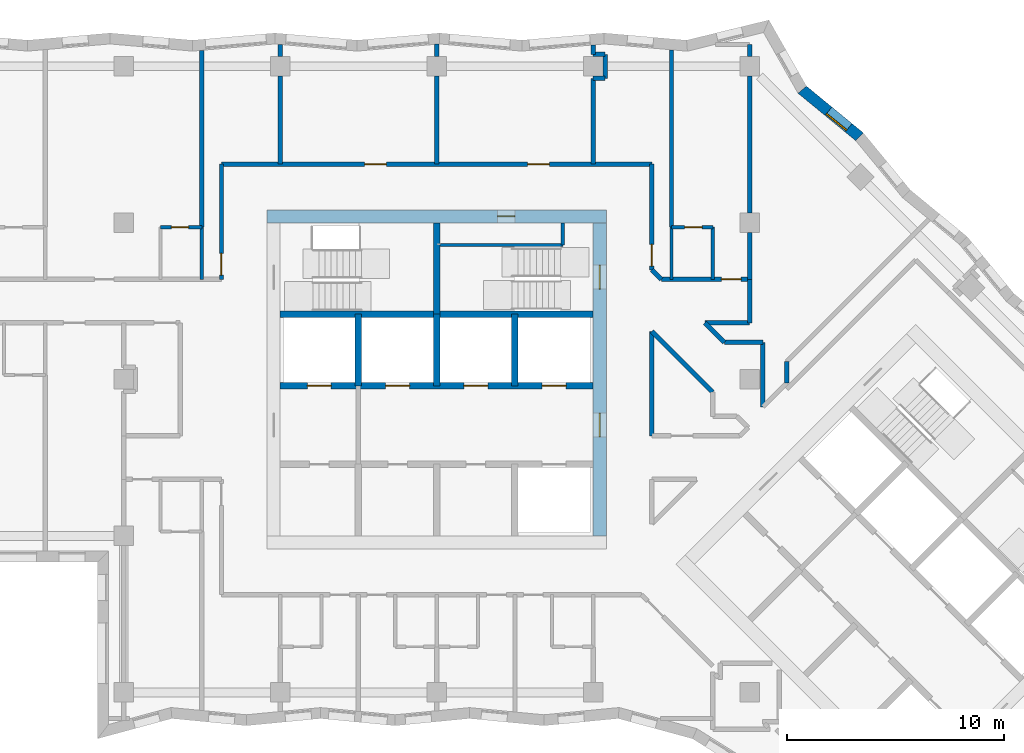
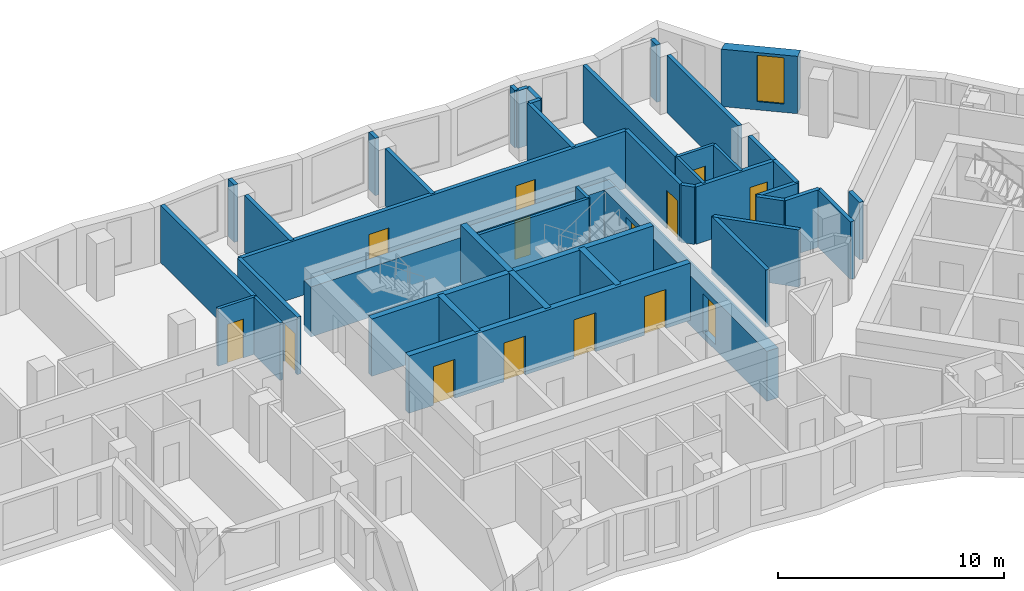
# One storey, part 6 of 12: 44 walls, 14 doors, 1 window, 15 openings.
"""IFC4 building model written with IfcOpenShell, lengths in metres."""

from ifc_helpers import new_model, si_unit, direction, frame, frame_2d, origin, place, context, subcontext, project, spatial, polyline, rectangle, outline, extrude, material, layer, layer_set, type_object, element, fill, save


model = new_model("IFC4")

# Units and contexts
model_context = context("Model", 3, precision=1e-05, world=origin(), true_north=direction((0.0, 1.0)))
body_context = subcontext(model_context, "Body", "Model", "MODEL_VIEW")
ifc_project = project(units=[si_unit("LENGTHUNIT", "METRE"), si_unit("AREAUNIT", "SQUARE_METRE"), si_unit("VOLUMEUNIT", "CUBIC_METRE"), si_unit("PLANEANGLEUNIT", "RADIAN"), si_unit("MASSUNIT", "GRAM", prefix="KILO")], contexts=[model_context])

# Site, building, storey
site_placement = place(None, origin())
site = spatial("IfcSite", under=ifc_project, at=site_placement, CompositionType="ELEMENT")
building_placement = place(site_placement, origin())
building = spatial("IfcBuilding", under=site, at=building_placement, Name="Windrow Commons", CompositionType="ELEMENT")
storey_placement = place(building_placement, frame((0.0, 0.0, 138.8)))
storey = spatial("IfcBuildingStorey", under=building, at=storey_placement, Name="L37", CompositionType="ELEMENT", Elevation=138.8)

# Wall, opening, window
ifc_material_1 = material(Name="Brick masonry, red clay brick", Category="masonry")
ifc_layer_1 = layer(ifc_material_1, 0.5)
ifc_layer_set_1 = layer_set([ifc_layer_1], Name="Brick facade wall 500")
wall_type_1 = type_object("IfcWallType", Name="Brick facade wall 500", PredefinedType="SOLIDWALL", material=ifc_layer_set_1)
wall_1_placement = place(storey_placement, frame((84.2513, 68.7572, 0.0), z_axis=(0.0, 0.0, 1.0), x_axis=(-0.7725881128, 0.6349075586, 0.0)))
wall_1 = element("IfcWall", 1, at=wall_1_placement, inside=storey, type_object=wall_type_1, Name="Brick facade wall L37 17", PredefinedType="SOLIDWALL", context=body_context, shape_type="SweptSolid", body=[
    extrude(outline(polyline([(-0.0245, -0.25), (3.3652, -0.25), (3.4578, 0.25), (0.0245, 0.25), (-0.0245, -0.25)])), origin(), (0.0, 0.0, 1.0), 3.1),
])
opening_1_placement = place(wall_1_placement, frame((0.65, 0.0, 0.45)))
opening_1 = element("IfcOpeningElement", 2, at=opening_1_placement, cuts=wall_1, Name="Opening W7E", PredefinedType="OPENING", context=body_context, shape_type="SweptSolid", body=[
    extrude(rectangle(XDim=1.2, YDim=2.5, at=frame_2d((0.6, 1.25))), frame((0.0, 0.26, 0.0), z_axis=(0.0, -1.0, 0.0), x_axis=(1.0, 0.0, 0.0)), (0.0, 0.0, 1.0), 0.52),
])
ifc_material_2 = material(Name="Clear float glass in anodised aluminium frame", Category="aluminium")
window_type = type_object("IfcWindowType", Name="Window W7 notch 1200x2500", PartitioningType="SINGLE_PANEL", PredefinedType="WINDOW", material=ifc_material_2)
window_placement = place(opening_1_placement, origin())
window = element("IfcWindow", 3, at=window_placement, inside=storey, type_object=window_type, Name="Window L37 17.1", OverallHeight=2.5, OverallWidth=1.2, PartitioningType="SINGLE_PANEL", PredefinedType="WINDOW", context=body_context, shape_type="SweptSolid", body=[
    extrude(rectangle(XDim=1.2, YDim=2.5, at=frame_2d((0.6, 1.25))), frame((0.0, 0.18, 0.0), z_axis=(0.0, -1.0, 0.0), x_axis=(1.0, 0.0, 0.0)), (0.0, 0.0, 1.0), 0.06),
])
fill(opening_1, window)

# Wall, openings, doors
ifc_material_3 = material(Name="Blockwork partition", Category="masonry")
ifc_layer_2 = layer(ifc_material_3, 0.2)
ifc_layer_set_2 = layer_set([ifc_layer_2], Name="IW-CORRIDOR-200")
wall_type_2 = type_object("IfcWallType", Name="IW-CORRIDOR-200", PredefinedType="PARTITIONING", material=ifc_layer_set_2)
wall_2_placement = place(storey_placement, frame((54.9, 67.5, 0.0), z_axis=(0.0, 0.0, 1.0), x_axis=(1.0, 0.0, 0.0)))
wall_2 = element("IfcWall", 4, at=wall_2_placement, inside=storey, type_object=wall_type_2, Name="W-L37-W000", PredefinedType="PARTITIONING", context=body_context, shape_type="SweptSolid", body=[
    extrude(rectangle(XDim=19.8, YDim=0.2, at=frame_2d((9.9, 0.0))), origin(), (0.0, 0.0, 1.0), 3.1),
])
opening_2_placement = place(wall_2_placement, frame((6.5862, 0.0, 0.0)))
opening_2 = element("IfcOpeningElement", 5, at=opening_2_placement, cuts=wall_2, Name="Opening D310F", PredefinedType="OPENING", context=body_context, shape_type="SweptSolid", body=[
    extrude(rectangle(XDim=1.0, YDim=2.1, at=frame_2d((0.5, 1.05))), frame((0.0, 0.11, 0.0), z_axis=(0.0, -1.0, 0.0), x_axis=(1.0, 0.0, 0.0)), (0.0, 0.0, 1.0), 0.22),
])
opening_3_placement = place(wall_2_placement, frame((14.0887, 0.0, 0.0)))
opening_3 = element("IfcOpeningElement", 6, at=opening_3_placement, cuts=wall_2, Name="Opening D310F", PredefinedType="OPENING", context=body_context, shape_type="SweptSolid", body=[
    extrude(rectangle(XDim=1.0, YDim=2.1, at=frame_2d((0.5, 1.05))), frame((0.0, 0.11, 0.0), z_axis=(0.0, -1.0, 0.0), x_axis=(1.0, 0.0, 0.0)), (0.0, 0.0, 1.0), 0.22),
])
ifc_material_4 = material(Name="Timber door leaf", Category="wood")
door_type_1 = type_object("IfcDoorType", Name="DT-AMENITY-1000", OperationType="SINGLE_SWING_LEFT", PredefinedType="DOOR", material=ifc_material_4)
door_1_placement = place(opening_2_placement, origin())
door_1 = element("IfcDoor", 7, at=door_1_placement, inside=storey, type_object=door_type_1, Name="D-L37-D031", OperationType="SINGLE_SWING_RIGHT", OverallHeight=2.1, OverallWidth=1.0, PredefinedType="DOOR", context=body_context, shape_type="SweptSolid", body=[
    extrude(rectangle(XDim=1.0, YDim=2.1, at=frame_2d((0.5, 1.05))), frame((0.0, 0.025, 0.0), z_axis=(0.0, -1.0, 0.0), x_axis=(1.0, 0.0, 0.0)), (0.0, 0.0, 1.0), 0.05),
])
fill(opening_2, door_1)
door_2_placement = place(opening_3_placement, origin())
door_2 = element("IfcDoor", 8, at=door_2_placement, inside=storey, type_object=door_type_1, Name="D-L37-D032", OperationType="SINGLE_SWING_RIGHT", OverallHeight=2.1, OverallWidth=1.0, PredefinedType="DOOR", context=body_context, shape_type="SweptSolid", body=[
    extrude(rectangle(XDim=1.0, YDim=2.1, at=frame_2d((0.5, 1.05))), frame((0.0, 0.025, 0.0), z_axis=(0.0, -1.0, 0.0), x_axis=(1.0, 0.0, 0.0)), (0.0, 0.0, 1.0), 0.05),
])
fill(opening_3, door_2)

# Wall, opening, door
wall_3_placement = place(storey_placement, frame((54.9, 62.202, 0.0), z_axis=(0.0, 0.0, 1.0), x_axis=(0.0, 1.0, 0.0)))
wall_3 = element("IfcWall", 9, at=wall_3_placement, inside=storey, type_object=wall_type_2, Name="W-L37-W032", PredefinedType="PARTITIONING", context=body_context, shape_type="SweptSolid", body=[
    extrude(rectangle(XDim=5.298, YDim=0.2, at=frame_2d((2.649, 0.0))), origin(), (0.0, 0.0, 1.0), 3.1),
])
opening_4_placement = place(wall_3_placement, frame((0.1917, 0.0, 0.0)))
opening_4 = element("IfcOpeningElement", 10, at=opening_4_placement, cuts=wall_3, Name="Opening D310F", PredefinedType="OPENING", context=body_context, shape_type="SweptSolid", body=[
    extrude(rectangle(XDim=1.0, YDim=2.1, at=frame_2d((0.5, 1.05))), frame((0.0, 0.11, 0.0), z_axis=(0.0, -1.0, 0.0), x_axis=(1.0, 0.0, 0.0)), (0.0, 0.0, 1.0), 0.22),
])
door_3_placement = place(opening_4_placement, origin())
door_3 = element("IfcDoor", 11, at=door_3_placement, inside=storey, type_object=door_type_1, Name="D-L37-D019", OperationType="SINGLE_SWING_LEFT", OverallHeight=2.1, OverallWidth=1.0, PredefinedType="DOOR", context=body_context, shape_type="SweptSolid", body=[
    extrude(rectangle(XDim=1.0, YDim=2.1, at=frame_2d((0.5, 1.05))), frame((0.0, 0.025, 0.0), z_axis=(0.0, -1.0, 0.0), x_axis=(1.0, 0.0, 0.0)), (0.0, 0.0, 1.0), 0.05),
])
fill(opening_4, door_3)

wall_4_placement = place(storey_placement, frame((74.7, 62.642, 0.0), z_axis=(0.0, 0.0, 1.0), x_axis=(0.0, 1.0, 0.0)))
wall_4 = element("IfcWall", 12, at=wall_4_placement, inside=storey, type_object=wall_type_2, Name="W-L37-W034", PredefinedType="PARTITIONING", context=body_context, shape_type="SweptSolid", body=[
    extrude(rectangle(XDim=4.858, YDim=0.2, at=frame_2d((2.429, 0.0))), origin(), (0.0, 0.0, 1.0), 3.1),
])
opening_5_placement = place(wall_4_placement, frame((0.169, 0.0, 0.0)))
opening_5 = element("IfcOpeningElement", 13, at=opening_5_placement, cuts=wall_4, Name="Opening D310F", PredefinedType="OPENING", context=body_context, shape_type="SweptSolid", body=[
    extrude(rectangle(XDim=1.0, YDim=2.1, at=frame_2d((0.5, 1.05))), frame((0.0, 0.11, 0.0), z_axis=(0.0, -1.0, 0.0), x_axis=(1.0, 0.0, 0.0)), (0.0, 0.0, 1.0), 0.22),
])
door_4_placement = place(opening_5_placement, origin())
door_4 = element("IfcDoor", 14, at=door_4_placement, inside=storey, type_object=door_type_1, Name="D-L37-D020", OperationType="SINGLE_SWING_RIGHT", OverallHeight=2.1, OverallWidth=1.0, PredefinedType="DOOR", context=body_context, shape_type="SweptSolid", body=[
    extrude(rectangle(XDim=1.0, YDim=2.1, at=frame_2d((0.5, 1.05))), frame((0.0, 0.025, 0.0), z_axis=(0.0, -1.0, 0.0), x_axis=(1.0, 0.0, 0.0)), (0.0, 0.0, 1.0), 0.05),
])
fill(opening_5, door_4)

# Wall
wall_5_placement = place(storey_placement, frame((74.7, 55.002, 0.0), z_axis=(0.0, 0.0, 1.0), x_axis=(0.0, 1.0, 0.0)))
element("IfcWall", 15, at=wall_5_placement, inside=storey, type_object=wall_type_2, Name="W-L37-W035", PredefinedType="PARTITIONING", context=body_context, shape_type="SweptSolid", body=[
    extrude(rectangle(XDim=4.808, YDim=0.2, at=frame_2d((2.404, 0.0))), origin(), (0.0, 0.0, 1.0), 3.1),
])

# Wall, opening, door
wall_6_placement = place(storey_placement, frame((75.142, 62.2, 0.0), z_axis=(0.0, 0.0, 1.0), x_axis=(1.0, 0.0, 0.0)))
wall_6 = element("IfcWall", 16, at=wall_6_placement, inside=storey, type_object=wall_type_2, Name="W-L37-W039", PredefinedType="PARTITIONING", context=body_context, shape_type="SweptSolid", body=[
    extrude(rectangle(XDim=4.058, YDim=0.2, at=frame_2d((2.029, 0.0))), origin(), (0.0, 0.0, 1.0), 3.1),
])
opening_6_placement = place(wall_6_placement, frame((2.758, 0.0, 0.0)))
opening_6 = element("IfcOpeningElement", 17, at=opening_6_placement, cuts=wall_6, Name="Opening D109S", PredefinedType="OPENING", context=body_context, shape_type="SweptSolid", body=[
    extrude(rectangle(XDim=0.9, YDim=2.1, at=frame_2d((0.45, 1.05))), frame((0.0, 0.11, 0.0), z_axis=(0.0, -1.0, 0.0), x_axis=(1.0, 0.0, 0.0)), (0.0, 0.0, 1.0), 0.22),
])
ifc_material_5 = material(Name="Timber door leaf", Category="wood")
door_type_2 = type_object("IfcDoorType", Name="DT-BEDROOM-900", OperationType="SINGLE_SWING_LEFT", PredefinedType="DOOR", material=ifc_material_5)
door_5_placement = place(opening_6_placement, origin())
door_5 = element("IfcDoor", 18, at=door_5_placement, inside=storey, type_object=door_type_2, Name="D-L37-D021", OperationType="SINGLE_SWING_LEFT", OverallHeight=2.1, OverallWidth=0.9, PredefinedType="DOOR", context=body_context, shape_type="SweptSolid", body=[
    extrude(rectangle(XDim=0.9, YDim=2.1, at=frame_2d((0.45, 1.05))), frame((0.0, 0.025, 0.0), z_axis=(0.0, -1.0, 0.0), x_axis=(1.0, 0.0, 0.0)), (0.0, 0.0, 1.0), 0.05),
])
fill(opening_6, door_5)

# Walls
wall_7_placement = place(storey_placement, frame((74.6989, 59.8069, 0.0), z_axis=(0.0, 0.0, 1.0), x_axis=(0.7071067812, -0.7071067812, 0.0)))
element("IfcWall", 19, at=wall_7_placement, inside=storey, type_object=wall_type_2, Name="W-L37-W043", PredefinedType="PARTITIONING", context=body_context, shape_type="SweptSolid", body=[
    extrude(rectangle(XDim=3.957, YDim=0.2, at=frame_2d((1.9785, 0.0))), origin(), (0.0, 0.0, 1.0), 3.1),
])
wall_8_placement = place(storey_placement, frame((79.8, 56.338, 0.0), z_axis=(0.0, 0.0, 1.0), x_axis=(0.0, 1.0, 0.0)))
element("IfcWall", 20, at=wall_8_placement, inside=storey, type_object=wall_type_2, Name="W-L37-W052", PredefinedType="PARTITIONING", context=body_context, shape_type="SweptSolid", body=[
    extrude(rectangle(XDim=2.962, YDim=0.2, at=frame_2d((1.481, 0.0))), origin(), (0.0, 0.0, 1.0), 3.1),
])
wall_9_placement = place(storey_placement, frame((77.144, 60.2, 0.0), z_axis=(0.0, 0.0, 1.0), x_axis=(1.0, 0.0, 0.0)))
element("IfcWall", 21, at=wall_9_placement, inside=storey, type_object=wall_type_2, Name="W-L37-W102", PredefinedType="PARTITIONING", context=body_context, shape_type="SweptSolid", body=[
    extrude(rectangle(XDim=2.056, YDim=0.2, at=frame_2d((1.028, 0.0))), origin(), (0.0, 0.0, 1.0), 3.1),
])
wall_10_placement = place(storey_placement, frame((79.2, 60.2, 0.0), z_axis=(0.0, 0.0, 1.0), x_axis=(0.0, 1.0, 0.0)))
element("IfcWall", 22, at=wall_10_placement, inside=storey, type_object=wall_type_2, Name="W-L37-W109", PredefinedType="PARTITIONING", context=body_context, shape_type="SweptSolid", body=[
    extrude(rectangle(XDim=2.0, YDim=0.2, at=frame_2d((1.0, 0.0))), origin(), (0.0, 0.0, 1.0), 3.1),
])
wall_11_placement = place(storey_placement, frame((78.042, 59.3, 0.0), z_axis=(0.0, 0.0, 1.0), x_axis=(1.0, 0.0, 0.0)))
element("IfcWall", 23, at=wall_11_placement, inside=storey, type_object=wall_type_2, Name="W-L37-W130", PredefinedType="PARTITIONING", context=body_context, shape_type="SweptSolid", body=[
    extrude(rectangle(XDim=1.758, YDim=0.2, at=frame_2d((0.879, 0.0))), origin(), (0.0, 0.0, 1.0), 3.1),
])
wall_12_placement = place(storey_placement, frame((77.1391, 60.1951, 0.0), z_axis=(0.0, 0.0, 1.0), x_axis=(0.7071067812, -0.7071067812, 0.0)))
element("IfcWall", 24, at=wall_12_placement, inside=storey, type_object=wall_type_2, Name="W-L37-W142", PredefinedType="PARTITIONING", context=body_context, shape_type="SweptSolid", body=[
    extrude(rectangle(XDim=1.27, YDim=0.2, at=frame_2d((0.635, 0.0))), origin(), (0.0, 0.0, 1.0), 3.1),
])
wall_13_placement = place(storey_placement, frame((74.6971, 62.6371, 0.0), z_axis=(0.0, 0.0, 1.0), x_axis=(0.7071067812, -0.7071067812, 0.0)))
element("IfcWall", 25, at=wall_13_placement, inside=storey, type_object=wall_type_2, Name="W-L37-W157", PredefinedType="PARTITIONING", context=body_context, shape_type="SweptSolid", body=[
    extrude(rectangle(XDim=0.6223, YDim=0.2, at=frame_2d((0.3111, 0.0))), origin(), (0.0, 0.0, 1.0), 3.1),
])
ifc_material_6 = material(Name="Blockwork partition", Category="masonry")
ifc_layer_3 = layer(ifc_material_6, 0.15)
ifc_layer_set_3 = layer_set([ifc_layer_3], Name="IW-ENSUITE-150")
wall_type_3 = type_object("IfcWallType", Name="IW-ENSUITE-150", PredefinedType="PARTITIONING", material=ifc_layer_set_3)
for number, where, z_axis, x_axis, name in (
    (26, (54.0, 62.2, 0.0), (0.0, 0.0, 1.0), (0.0, 1.0, 0.0), "W-L37-W085"),
    (27, (75.6, 62.2, 0.0), (0.0, 0.0, 1.0), (0.0, 1.0, 0.0), "W-L37-W086"),
    (28, (77.5, 62.2, 0.0), (0.0, 0.0, 1.0), (0.0, 1.0, 0.0), "W-L37-W087"),
):
    element("IfcWall", number, at=place(storey_placement, frame(where, z_axis=z_axis, x_axis=x_axis)), inside=storey, type_object=wall_type_3, Name=name, PredefinedType="PARTITIONING", context=body_context, shape_type="SweptSolid", body=[
        extrude(rectangle(XDim=2.4, YDim=0.15, at=frame_2d((1.2, 0.0))), origin(), (0.0, 0.0, 1.0), 3.1),
    ])

# Wall, opening, door
wall_14_placement = place(storey_placement, frame((75.6, 64.6, 0.0), z_axis=(0.0, 0.0, 1.0), x_axis=(1.0, 0.0, 0.0)))
wall_14 = element("IfcWall", 29, at=wall_14_placement, inside=storey, type_object=wall_type_3, Name="W-L37-W119", PredefinedType="PARTITIONING", context=body_context, shape_type="SweptSolid", body=[
    extrude(rectangle(XDim=1.9, YDim=0.15, at=frame_2d((0.95, 0.0))), origin(), (0.0, 0.0, 1.0), 3.1),
])
opening_7_placement = place(wall_14_placement, frame((0.6069, 0.0, 0.0)))
opening_7 = element("IfcOpeningElement", 30, at=opening_7_placement, cuts=wall_14, Name="Opening D208N", PredefinedType="OPENING", context=body_context, shape_type="SweptSolid", body=[
    extrude(rectangle(XDim=0.8, YDim=2.1, at=frame_2d((0.4, 1.05))), frame((0.0, 0.085, 0.0), z_axis=(0.0, -1.0, 0.0), x_axis=(1.0, 0.0, 0.0)), (0.0, 0.0, 1.0), 0.17),
])
ifc_material_7 = material(Name="Timber door leaf", Category="wood")
door_type_3 = type_object("IfcDoorType", Name="DT-ENSUITE-800", OperationType="SINGLE_SWING_LEFT", PredefinedType="DOOR", material=ifc_material_7)
door_6_placement = place(opening_7_placement, origin())
door_6 = element("IfcDoor", 31, at=door_6_placement, inside=storey, type_object=door_type_3, Name="D-L37-D022", OperationType="SINGLE_SWING_RIGHT", OverallHeight=2.1, OverallWidth=0.8, PredefinedType="DOOR", context=body_context, shape_type="SweptSolid", body=[
    extrude(rectangle(XDim=0.8, YDim=2.1, at=frame_2d((0.4, 1.05))), frame((0.0, 0.025, 0.0), z_axis=(0.0, -1.0, 0.0), x_axis=(1.0, 0.0, 0.0)), (0.0, 0.0, 1.0), 0.05),
])
fill(opening_7, door_6)

wall_15_placement = place(storey_placement, frame((52.1, 64.6, 0.0), z_axis=(0.0, 0.0, 1.0), x_axis=(1.0, 0.0, 0.0)))
wall_15 = element("IfcWall", 32, at=wall_15_placement, inside=storey, type_object=wall_type_3, Name="W-L37-W123", PredefinedType="PARTITIONING", context=body_context, shape_type="SweptSolid", body=[
    extrude(rectangle(XDim=1.9, YDim=0.15, at=frame_2d((0.95, 0.0))), origin(), (0.0, 0.0, 1.0), 3.1),
])
opening_8_placement = place(wall_15_placement, frame((0.4931, 0.0, 0.0)))
opening_8 = element("IfcOpeningElement", 33, at=opening_8_placement, cuts=wall_15, Name="Opening D208N", PredefinedType="OPENING", context=body_context, shape_type="SweptSolid", body=[
    extrude(rectangle(XDim=0.8, YDim=2.1, at=frame_2d((0.4, 1.05))), frame((0.0, 0.085, 0.0), z_axis=(0.0, -1.0, 0.0), x_axis=(1.0, 0.0, 0.0)), (0.0, 0.0, 1.0), 0.17),
])
door_7_placement = place(opening_8_placement, origin())
door_7 = element("IfcDoor", 34, at=door_7_placement, inside=storey, type_object=door_type_3, Name="D-L37-D018", OperationType="SINGLE_SWING_RIGHT", OverallHeight=2.1, OverallWidth=0.8, PredefinedType="DOOR", context=body_context, shape_type="SweptSolid", body=[
    extrude(rectangle(XDim=0.8, YDim=2.1, at=frame_2d((0.4, 1.05))), frame((0.0, 0.025, 0.0), z_axis=(0.0, -1.0, 0.0), x_axis=(1.0, 0.0, 0.0)), (0.0, 0.0, 1.0), 0.05),
])
fill(opening_8, door_7)

# Walls
ifc_material_8 = material(Name="Blockwork partition", Category="masonry")
ifc_layer_4 = layer(ifc_material_8, 0.2)
ifc_layer_set_4 = layer_set([ifc_layer_4], Name="IW-PARTY-200")
wall_type_4 = type_object("IfcWallType", Name="IW-PARTY-200", PredefinedType="PARTITIONING", material=ifc_layer_set_4)
wall_16_placement = place(storey_placement, frame((75.6, 64.6, 0.0), z_axis=(0.0, 0.0, 1.0), x_axis=(0.0, 1.0, 0.0)))
element("IfcWall", 35, at=wall_16_placement, inside=storey, type_object=wall_type_4, Name="W-L37-W017", PredefinedType="PARTITIONING", context=body_context, shape_type="SweptSolid", body=[
    extrude(rectangle(XDim=8.1586, YDim=0.2, at=frame_2d((4.0793, 0.0))), origin(), (0.0, 0.0, 1.0), 3.1),
])
wall_17_placement = place(storey_placement, frame((54.0, 64.6, 0.0), z_axis=(0.0, 0.0, 1.0), x_axis=(0.0, 1.0, 0.0)))
element("IfcWall", 36, at=wall_17_placement, inside=storey, type_object=wall_type_4, Name="W-L37-W019", PredefinedType="PARTITIONING", context=body_context, shape_type="SweptSolid", body=[
    extrude(rectangle(XDim=8.136, YDim=0.2, at=frame_2d((4.068, 0.0))), origin(), (0.0, 0.0, 1.0), 3.1),
])
wall_18_placement = place(storey_placement, frame((79.2, 65.25, 0.0), z_axis=(0.0, 0.0, 1.0), x_axis=(0.0, 1.0, 0.0)))
element("IfcWall", 37, at=wall_18_placement, inside=storey, type_object=wall_type_4, Name="W-L37-W025", PredefinedType="PARTITIONING", context=body_context, shape_type="SweptSolid", body=[
    extrude(rectangle(XDim=6.3, YDim=0.2, at=frame_2d((3.15, 0.0))), origin(), (0.0, 0.0, 1.0), 3.1),
])
for number, where, z_axis, x_axis, name in (
    (38, (57.6, 67.5, 0.0), (0.0, 0.0, 1.0), (0.0, 1.0, 0.0), "W-L37-W040"),
    (39, (64.8, 67.5, 0.0), (0.0, 0.0, 1.0), (0.0, 1.0, 0.0), "W-L37-W041"),
):
    element("IfcWall", number, at=place(storey_placement, frame(where, z_axis=z_axis, x_axis=x_axis)), inside=storey, type_object=wall_type_4, Name=name, PredefinedType="PARTITIONING", context=body_context, shape_type="SweptSolid", body=[
        extrude(rectangle(XDim=4.05, YDim=0.2, at=frame_2d((2.025, 0.0))), origin(), (0.0, 0.0, 1.0), 3.1),
    ])
wall_19_placement = place(storey_placement, frame((72.0, 67.5, 0.0), z_axis=(0.0, 0.0, 1.0), x_axis=(0.0, 1.0, 0.0)))
element("IfcWall", 40, at=wall_19_placement, inside=storey, type_object=wall_type_4, Name="W-L37-W044", PredefinedType="PARTITIONING", context=body_context, shape_type="SweptSolid", body=[
    extrude(rectangle(XDim=3.946, YDim=0.2, at=frame_2d((1.973, 0.0))), origin(), (0.0, 0.0, 1.0), 3.1),
])
wall_20_placement = place(storey_placement, frame((79.2, 62.2, 0.0), z_axis=(0.0, 0.0, 1.0), x_axis=(0.0, 1.0, 0.0)))
element("IfcWall", 41, at=wall_20_placement, inside=storey, type_object=wall_type_4, Name="W-L37-W100", PredefinedType="PARTITIONING", context=body_context, shape_type="SweptSolid", body=[
    extrude(rectangle(XDim=2.15, YDim=0.2, at=frame_2d((1.075, 0.0))), origin(), (0.0, 0.0, 1.0), 3.1),
])
wall_21_placement = place(storey_placement, frame((72.55, 71.446, 0.0), z_axis=(0.0, 0.0, 1.0), x_axis=(0.0, 1.0, 0.0)))
element("IfcWall", 42, at=wall_21_placement, inside=storey, type_object=wall_type_4, Name="W-L37-W147", PredefinedType="PARTITIONING", context=body_context, shape_type="SweptSolid", body=[
    extrude(rectangle(XDim=1.108, YDim=0.2, at=frame_2d((0.554, 0.0))), origin(), (0.0, 0.0, 1.0), 3.1),
])
wall_22_placement = place(storey_placement, frame((80.9, 57.436, 0.0), z_axis=(0.0, 0.0, 1.0), x_axis=(0.0, 1.0, 0.0)))
element("IfcWall", 43, at=wall_22_placement, inside=storey, type_object=wall_type_4, Name="W-L37-W148", PredefinedType="PARTITIONING", context=body_context, shape_type="SweptSolid", body=[
    extrude(rectangle(XDim=0.99, YDim=0.2, at=frame_2d((0.495, 0.0))), origin(), (0.0, 0.0, 1.0), 3.1),
])
for number, where, z_axis, x_axis, name in (
    (44, (72.0, 71.45, 0.0), (0.0, 0.0, 1.0), (1.0, 0.0, 0.0), "W-L37-W163"),
    (45, (72.0, 72.55, 0.0), (0.0, 0.0, 1.0), (1.0, 0.0, 0.0), "W-L37-W164"),
    (46, (79.2, 72.45, 0.0), (0.0, 0.0, 1.0), (0.0, 1.0, 0.0), "W-L37-W165"),
):
    element("IfcWall", number, at=place(storey_placement, frame(where, z_axis=z_axis, x_axis=x_axis)), inside=storey, type_object=wall_type_4, Name=name, PredefinedType="PARTITIONING", context=body_context, shape_type="SweptSolid", body=[
        extrude(rectangle(XDim=0.55, YDim=0.2, at=frame_2d((0.275, 0.0))), origin(), (0.0, 0.0, 1.0), 3.1),
    ])
wall_23_placement = place(storey_placement, frame((64.8, 72.45, 0.0), z_axis=(0.0, 0.0, 1.0), x_axis=(0.0, 1.0, 0.0)))
element("IfcWall", 47, at=wall_23_placement, inside=storey, type_object=wall_type_4, Name="W-L37-W167", PredefinedType="PARTITIONING", context=body_context, shape_type="SweptSolid", body=[
    extrude(rectangle(XDim=0.5668, YDim=0.2, at=frame_2d((0.2834, 0.0))), origin(), (0.0, 0.0, 1.0), 3.1),
])
wall_24_placement = place(storey_placement, frame((57.6, 72.45, 0.0), z_axis=(0.0, 0.0, 1.0), x_axis=(0.0, 1.0, 0.0)))
element("IfcWall", 48, at=wall_24_placement, inside=storey, type_object=wall_type_4, Name="W-L37-W168", PredefinedType="PARTITIONING", context=body_context, shape_type="SweptSolid", body=[
    extrude(rectangle(XDim=0.5566, YDim=0.2, at=frame_2d((0.2783, 0.0))), origin(), (0.0, 0.0, 1.0), 3.1),
])
wall_25_placement = place(storey_placement, frame((72.0, 72.554, 0.0), z_axis=(0.0, 0.0, 1.0), x_axis=(0.0, 1.0, 0.0)))
element("IfcWall", 49, at=wall_25_placement, inside=storey, type_object=wall_type_4, Name="W-L37-W179", PredefinedType="PARTITIONING", context=body_context, shape_type="SweptSolid", body=[
    extrude(rectangle(XDim=0.43, YDim=0.2, at=frame_2d((0.215, 0.0))), origin(), (0.0, 0.0, 1.0), 3.1),
])

# Wall, opening, door
ifc_material_9 = material(Name="Concrete C50/60", Category="concrete")
ifc_layer_5 = layer(ifc_material_9, 0.6)
ifc_layer_set_5 = layer_set([ifc_layer_5], Name="RC CORE WALL 600 C50/60")
wall_type_5 = type_object("IfcWallType", Name="RC CORE WALL 600 C50/60", PredefinedType="SHEAR", material=ifc_layer_set_5)
wall_26_placement = place(storey_placement, frame((57.0, 65.1, -0.3), z_axis=(0.0, 0.0, 1.0), x_axis=(1.0, 0.0, 0.0)))
wall_26 = element("IfcWall", 50, at=wall_26_placement, inside=storey, type_object=wall_type_5, Name="Core A wall outer-N", PredefinedType="SHEAR", context=body_context, shape_type="SweptSolid", body=[
    extrude(rectangle(XDim=15.6, YDim=0.6, at=frame_2d((7.8, 0.0))), origin(), (0.0, 0.0, 1.0), 2.7),
])
opening_9_placement = place(wall_26_placement, frame((10.6, 0.0, 0.3)))
opening_9 = element("IfcOpeningElement", 51, at=opening_9_placement, cuts=wall_26, Name="Opening D9", PredefinedType="OPENING", context=body_context, shape_type="SweptSolid", body=[
    extrude(rectangle(XDim=0.8, YDim=2.1, at=frame_2d((0.4, 1.05))), frame((0.0, 0.31, 0.0), z_axis=(0.0, -1.0, 0.0), x_axis=(1.0, 0.0, 0.0)), (0.0, 0.0, 1.0), 0.62),
])
ifc_material_10 = material(Name="Steel fire door leaf", Category="steel")
door_type_4 = type_object("IfcDoorType", Name="Riser access door 800", OperationType="SINGLE_SWING_LEFT", PredefinedType="DOOR", material=ifc_material_10)
door_8_placement = place(opening_9_placement, origin())
door_8 = element("IfcDoor", 52, at=door_8_placement, inside=storey, type_object=door_type_4, Name="Riser access door", OperationType="SINGLE_SWING_RIGHT", OverallHeight=2.1, OverallWidth=0.8, PredefinedType="DOOR", context=body_context, shape_type="SweptSolid", body=[
    extrude(rectangle(XDim=0.8, YDim=2.1, at=frame_2d((0.4, 1.05))), frame((0.0, 0.025, 0.0), z_axis=(0.0, -1.0, 0.0), x_axis=(1.0, 0.0, 0.0)), (0.0, 0.0, 1.0), 0.05),
])
fill(opening_9, door_8)

# Wall, openings, doors
wall_27_placement = place(storey_placement, frame((72.3, 50.4, -0.3), z_axis=(0.0, 0.0, 1.0), x_axis=(0.0, 1.0, 0.0)))
wall_27 = element("IfcWall", 53, at=wall_27_placement, inside=storey, type_object=wall_type_5, Name="Core A wall outer-E", PredefinedType="SHEAR", context=body_context, shape_type="SweptSolid", body=[
    extrude(rectangle(XDim=14.4, YDim=0.6, at=frame_2d((7.2, 0.0))), origin(), (0.0, 0.0, 1.0), 2.7),
])
opening_10_placement = place(wall_27_placement, frame((4.55, 0.0, 0.3)))
opening_10 = element("IfcOpeningElement", 54, at=opening_10_placement, cuts=wall_27, Name="Opening D6", PredefinedType="OPENING", context=body_context, shape_type="SweptSolid", body=[
    extrude(rectangle(XDim=1.1, YDim=2.1, at=frame_2d((0.55, 1.05))), frame((0.0, 0.31, 0.0), z_axis=(0.0, -1.0, 0.0), x_axis=(1.0, 0.0, 0.0)), (0.0, 0.0, 1.0), 0.62),
])
opening_11_placement = place(wall_27_placement, frame((11.35, 0.0, 0.3)))
opening_11 = element("IfcOpeningElement", 55, at=opening_11_placement, cuts=wall_27, Name="Opening D7", PredefinedType="OPENING", context=body_context, shape_type="SweptSolid", body=[
    extrude(rectangle(XDim=1.1, YDim=2.1, at=frame_2d((0.55, 1.05))), frame((0.0, 0.31, 0.0), z_axis=(0.0, -1.0, 0.0), x_axis=(1.0, 0.0, 0.0)), (0.0, 0.0, 1.0), 0.62),
])
ifc_material_11 = material(Name="Steel fire door leaf", Category="steel")
door_type_5 = type_object("IfcDoorType", Name="Core lobby door 1100", OperationType="SINGLE_SWING_LEFT", PredefinedType="DOOR", material=ifc_material_11)
door_9_placement = place(opening_10_placement, origin())
door_9 = element("IfcDoor", 56, at=door_9_placement, inside=storey, type_object=door_type_5, Name="Lift lobby door", OperationType="DOUBLE_DOOR_SINGLE_SWING", OverallHeight=2.1, OverallWidth=1.1, PredefinedType="DOOR", context=body_context, shape_type="SweptSolid", body=[
    extrude(rectangle(XDim=1.1, YDim=2.1, at=frame_2d((0.55, 1.05))), frame((0.0, 0.025, 0.0), z_axis=(0.0, -1.0, 0.0), x_axis=(1.0, 0.0, 0.0)), (0.0, 0.0, 1.0), 0.05),
])
fill(opening_10, door_9)
ifc_material_12 = material(Name="Steel fire door leaf", Category="steel")
door_type_6 = type_object("IfcDoorType", Name="Stair door 1100", OperationType="SINGLE_SWING_LEFT", PredefinedType="DOOR", material=ifc_material_12)
door_10_placement = place(opening_11_placement, origin())
door_10 = element("IfcDoor", 57, at=door_10_placement, inside=storey, type_object=door_type_6, Name="Stair door", OperationType="SINGLE_SWING_RIGHT", OverallHeight=2.1, OverallWidth=1.1, PredefinedType="DOOR", context=body_context, shape_type="SweptSolid", body=[
    extrude(rectangle(XDim=1.1, YDim=2.1, at=frame_2d((0.55, 1.05))), frame((0.0, 0.025, 0.0), z_axis=(0.0, -1.0, 0.0), x_axis=(1.0, 0.0, 0.0)), (0.0, 0.0, 1.0), 0.05),
])
fill(opening_11, door_10)

# Walls
ifc_material_13 = material(Name="Concrete C50/60", Category="concrete")
ifc_layer_6 = layer(ifc_material_13, 0.3)
ifc_layer_set_6 = layer_set([ifc_layer_6], Name="RC SHAFT WALL 300 C50/60")
wall_type_6 = type_object("IfcWallType", Name="RC SHAFT WALL 300 C50/60", PredefinedType="SOLIDWALL", material=ifc_layer_set_6)
for number, where, z_axis, x_axis, name in (
    (58, (61.2, 57.3, 0.0), (0.0, 0.0, 1.0), (0.0, 1.0, 0.0), "Core A wall shaft-N1"),
    (59, (64.8, 57.3, 0.0), (0.0, 0.0, 1.0), (0.0, 1.0, 0.0), "Core A wall shaft-N2"),
    (60, (68.4, 57.3, 0.0), (0.0, 0.0, 1.0), (0.0, 1.0, 0.0), "Core A wall shaft-N3"),
):
    element("IfcWall", number, at=place(storey_placement, frame(where, z_axis=z_axis, x_axis=x_axis)), inside=storey, type_object=wall_type_6, Name=name, PredefinedType="SOLIDWALL", context=body_context, shape_type="SweptSolid", body=[
        extrude(rectangle(XDim=3.3, YDim=0.3, at=frame_2d((1.65, 0.0))), origin(), (0.0, 0.0, 1.0), 3.1),
    ])

# Wall, openings, doors
wall_28_placement = place(storey_placement, frame((57.6, 57.3, 0.0), z_axis=(0.0, 0.0, 1.0), x_axis=(1.0, 0.0, 0.0)))
wall_28 = element("IfcWall", 61, at=wall_28_placement, inside=storey, type_object=wall_type_6, Name="Core A wall lobby-N", PredefinedType="SOLIDWALL", context=body_context, shape_type="SweptSolid", body=[
    extrude(rectangle(XDim=14.4, YDim=0.3, at=frame_2d((7.2, 0.0))), origin(), (0.0, 0.0, 1.0), 3.1),
])
opening_12_placement = place(wall_28_placement, frame((1.25, 0.0, 0.0)))
opening_12 = element("IfcOpeningElement", 62, at=opening_12_placement, cuts=wall_28, Name="Opening LD", PredefinedType="OPENING", context=body_context, shape_type="SweptSolid", body=[
    extrude(rectangle(XDim=1.1, YDim=2.1, at=frame_2d((0.55, 1.05))), frame((0.0, 0.16, 0.0), z_axis=(0.0, -1.0, 0.0), x_axis=(1.0, 0.0, 0.0)), (0.0, 0.0, 1.0), 0.32),
])
opening_13_placement = place(wall_28_placement, frame((4.85, 0.0, 0.0)))
opening_13 = element("IfcOpeningElement", 63, at=opening_13_placement, cuts=wall_28, Name="Opening LD", PredefinedType="OPENING", context=body_context, shape_type="SweptSolid", body=[
    extrude(rectangle(XDim=1.1, YDim=2.1, at=frame_2d((0.55, 1.05))), frame((0.0, 0.16, 0.0), z_axis=(0.0, -1.0, 0.0), x_axis=(1.0, 0.0, 0.0)), (0.0, 0.0, 1.0), 0.32),
])
opening_14_placement = place(wall_28_placement, frame((8.45, 0.0, 0.0)))
opening_14 = element("IfcOpeningElement", 64, at=opening_14_placement, cuts=wall_28, Name="Opening LD", PredefinedType="OPENING", context=body_context, shape_type="SweptSolid", body=[
    extrude(rectangle(XDim=1.1, YDim=2.1, at=frame_2d((0.55, 1.05))), frame((0.0, 0.16, 0.0), z_axis=(0.0, -1.0, 0.0), x_axis=(1.0, 0.0, 0.0)), (0.0, 0.0, 1.0), 0.32),
])
opening_15_placement = place(wall_28_placement, frame((12.05, 0.0, 0.0)))
opening_15 = element("IfcOpeningElement", 65, at=opening_15_placement, cuts=wall_28, Name="Opening LD", PredefinedType="OPENING", context=body_context, shape_type="SweptSolid", body=[
    extrude(rectangle(XDim=1.1, YDim=2.1, at=frame_2d((0.55, 1.05))), frame((0.0, 0.16, 0.0), z_axis=(0.0, -1.0, 0.0), x_axis=(1.0, 0.0, 0.0)), (0.0, 0.0, 1.0), 0.32),
])
ifc_material_14 = material(Name="Stainless steel door leaf", Category="steel")
door_type_7 = type_object("IfcDoorType", Name="Lift landing door 1100", OperationType="SLIDING_TO_LEFT", PredefinedType="DOOR", material=ifc_material_14)
door_11_placement = place(opening_12_placement, origin())
door_11 = element("IfcDoor", 66, at=door_11_placement, inside=storey, type_object=door_type_7, Name="Lift landing door", OperationType="SLIDING_TO_LEFT", OverallHeight=2.1, OverallWidth=1.1, PredefinedType="DOOR", context=body_context, shape_type="SweptSolid", body=[
    extrude(rectangle(XDim=1.1, YDim=2.1, at=frame_2d((0.55, 1.05))), frame((0.0, 0.025, 0.0), z_axis=(0.0, -1.0, 0.0), x_axis=(1.0, 0.0, 0.0)), (0.0, 0.0, 1.0), 0.05),
])
fill(opening_12, door_11)
door_12_placement = place(opening_13_placement, origin())
door_12 = element("IfcDoor", 67, at=door_12_placement, inside=storey, type_object=door_type_7, Name="Lift landing door", OperationType="SLIDING_TO_RIGHT", OverallHeight=2.1, OverallWidth=1.1, PredefinedType="DOOR", context=body_context, shape_type="SweptSolid", body=[
    extrude(rectangle(XDim=1.1, YDim=2.1, at=frame_2d((0.55, 1.05))), frame((0.0, 0.025, 0.0), z_axis=(0.0, -1.0, 0.0), x_axis=(1.0, 0.0, 0.0)), (0.0, 0.0, 1.0), 0.05),
])
fill(opening_13, door_12)
door_13_placement = place(opening_14_placement, origin())
door_13 = element("IfcDoor", 68, at=door_13_placement, inside=storey, type_object=door_type_7, Name="Lift landing door", OperationType="SLIDING_TO_LEFT", OverallHeight=2.1, OverallWidth=1.1, PredefinedType="DOOR", context=body_context, shape_type="SweptSolid", body=[
    extrude(rectangle(XDim=1.1, YDim=2.1, at=frame_2d((0.55, 1.05))), frame((0.0, 0.025, 0.0), z_axis=(0.0, -1.0, 0.0), x_axis=(1.0, 0.0, 0.0)), (0.0, 0.0, 1.0), 0.05),
])
fill(opening_14, door_13)
door_14_placement = place(opening_15_placement, origin())
door_14 = element("IfcDoor", 69, at=door_14_placement, inside=storey, type_object=door_type_7, Name="Lift landing door", OperationType="SLIDING_TO_RIGHT", OverallHeight=2.1, OverallWidth=1.1, PredefinedType="DOOR", context=body_context, shape_type="SweptSolid", body=[
    extrude(rectangle(XDim=1.1, YDim=2.1, at=frame_2d((0.55, 1.05))), frame((0.0, 0.025, 0.0), z_axis=(0.0, -1.0, 0.0), x_axis=(1.0, 0.0, 0.0)), (0.0, 0.0, 1.0), 0.05),
])
fill(opening_15, door_14)

# Walls
for number, where, z_axis, x_axis, name in (
    (70, (57.6, 60.6, 0.0), (0.0, 0.0, 1.0), (1.0, 0.0, 0.0), "Core A wall stair-S"),
    (71, (64.8, 60.6, 0.0), (0.0, 0.0, 1.0), (1.0, 0.0, 0.0), "Core A wall stair-S2"),
):
    element("IfcWall", number, at=place(storey_placement, frame(where, z_axis=z_axis, x_axis=x_axis)), inside=storey, type_object=wall_type_6, Name=name, PredefinedType="SOLIDWALL", context=body_context, shape_type="SweptSolid", body=[
        extrude(rectangle(XDim=7.2, YDim=0.3, at=frame_2d((3.6, 0.0))), origin(), (0.0, 0.0, 1.0), 3.1),
    ])
wall_29_placement = place(storey_placement, frame((64.8, 60.6, 0.0), z_axis=(0.0, 0.0, 1.0), x_axis=(0.0, 1.0, 0.0)))
element("IfcWall", 72, at=wall_29_placement, inside=storey, type_object=wall_type_6, Name="Core A wall stair-mid", PredefinedType="SOLIDWALL", context=body_context, shape_type="SweptSolid", body=[
    extrude(rectangle(XDim=4.2, YDim=0.3, at=frame_2d((2.1, 0.0))), origin(), (0.0, 0.0, 1.0), 3.1),
])
ifc_material_15 = material(Name="Blockwork partition", Category="masonry")
ifc_layer_7 = layer(ifc_material_15, 0.15)
ifc_layer_set_7 = layer_set([ifc_layer_7], Name="Riser partition 150")
wall_type_7 = type_object("IfcWallType", Name="Riser partition 150", PredefinedType="PARTITIONING", material=ifc_layer_set_7)
wall_30_placement = place(storey_placement, frame((64.95, 63.78, 0.0), z_axis=(0.0, 0.0, 1.0), x_axis=(1.0, 0.0, 0.0)))
element("IfcWall", 73, at=wall_30_placement, inside=storey, type_object=wall_type_7, Name="W-core-strip-A-L37", PredefinedType="PARTITIONING", context=body_context, shape_type="SweptSolid", body=[
    extrude(rectangle(XDim=5.65, YDim=0.15, at=frame_2d((2.825, 0.0))), origin(), (0.0, 0.0, 1.0), 3.1),
])
wall_31_placement = place(storey_placement, frame((70.6, 63.78, 0.0), z_axis=(0.0, 0.0, 1.0), x_axis=(0.0, 1.0, 0.0)))
element("IfcWall", 74, at=wall_31_placement, inside=storey, type_object=wall_type_7, Name="W-core-stripx-A-L37-1", PredefinedType="PARTITIONING", context=body_context, shape_type="SweptSolid", body=[
    extrude(rectangle(XDim=1.02, YDim=0.15, at=frame_2d((0.51, 0.0))), origin(), (0.0, 0.0, 1.0), 3.1),
])

save(model, "model.ifc")
